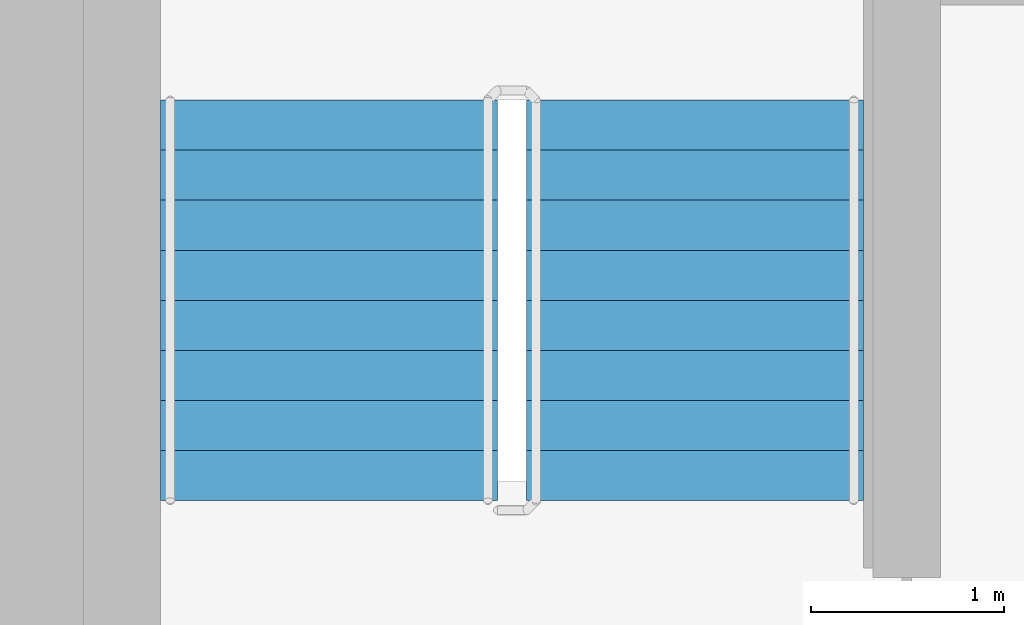
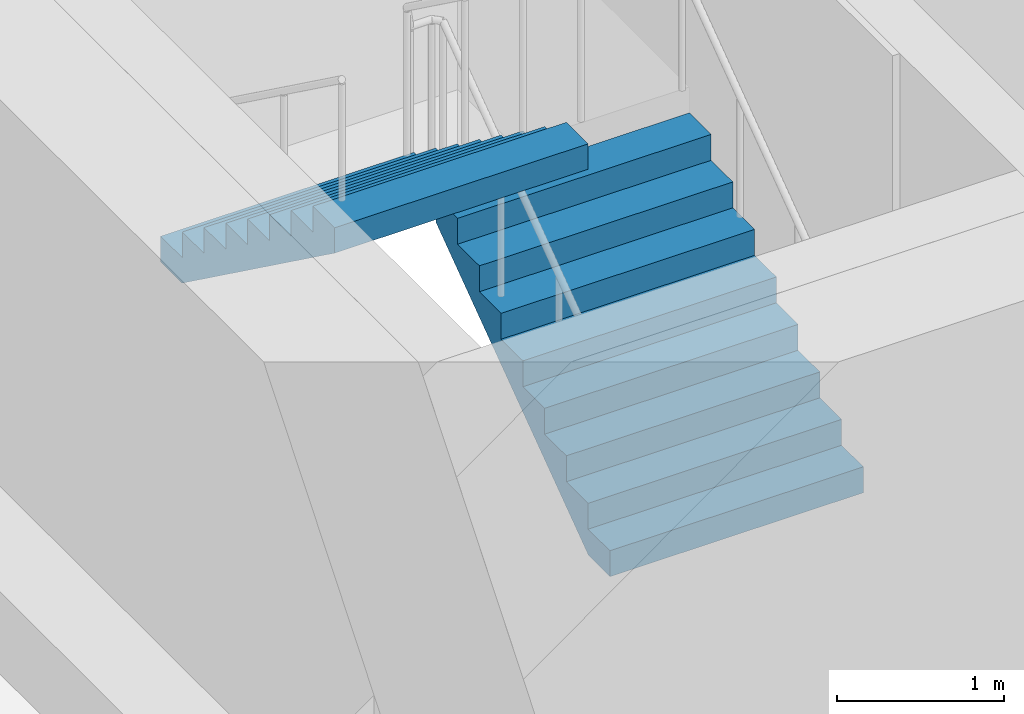
# One storey, part 16 of 19: 2 stair flights, 1 element without a shape of its own.
"""IFC4 building model written with IfcOpenShell, lengths in metres."""

import ifcopenshell
import ifcopenshell.guid

model = None  # the IFC model being written
_history = None  # IfcOwnerHistory: only IFC2X3 demands one
_inside = {}  # id of a spatial element -> (the spatial element, [elements in it])
_under = {}  # id of a project, library or spatial element -> (it, [spatial elements below it])
_declared = {}  # id of a project -> (the project, [libraries it declares])
_typed = {}  # id of a type object -> (the type object, [elements of that type])
_made_of = {}  # id of a material, layer set ... -> (it, [elements and type objects made of it])


def new_model(schema):
    """Start an empty IFC model of exactly this schema.

    Asked for "IFC4X3", IfcOpenShell would pick the latest addendum, in which some entities
    have other attributes; the version numbers below select the first issue.
    IFC2X3 requires an IfcOwnerHistory on every rooted entity: one is made here for all.
    """
    global model, _history
    if schema == "IFC4X3":
        model = ifcopenshell.file(schema_version=(4, 3, 0, 0))
    else:
        model = ifcopenshell.file(schema=schema)
    _inside.clear()
    _under.clear()
    _declared.clear()
    _typed.clear()
    _made_of.clear()
    _history = None
    if model.schema == "IFC2X3":
        org = make("IfcOrganization", Name="unknown")
        user = make(
            "IfcPersonAndOrganization",
            ThePerson=make("IfcPerson", FamilyName="unknown"),
            TheOrganization=org,
        )
        app = make(
            "IfcApplication",
            ApplicationDeveloper=org,
            Version="unknown",
            ApplicationFullName="unknown",
            ApplicationIdentifier="unknown",
        )
        _history = make(
            "IfcOwnerHistory",
            OwningUser=user,
            OwningApplication=app,
            ChangeAction="ADDED",
            CreationDate=0,
        )
    return model


def make(cls, **values):
    """One entity of the class cls with the attributes given. An attribute that is None is left unset."""
    return model.create_entity(
        cls, **{name: value for name, value in values.items() if value is not None}
    )


def rooted(cls, **values):
    """An entity with a GlobalId (a new one), such as an element, a storey or a relation."""
    return make(cls, GlobalId=ifcopenshell.guid.new(), OwnerHistory=_history, **values)


def si_unit(unit_type, name, prefix=None):
    """IfcSIUnit, for example si_unit("LENGTHUNIT", "METRE", prefix="MILLI")."""
    return make("IfcSIUnit", UnitType=unit_type, Prefix=prefix, Name=name)


def assignment(units):
    """IfcUnitAssignment: the units of a project."""
    return None if units is None else make("IfcUnitAssignment", Units=units)


def point(xyz):
    """IfcCartesianPoint."""
    return None if xyz is None else make("IfcCartesianPoint", Coordinates=xyz)


def direction(xyz):
    """IfcDirection."""
    return None if xyz is None else make("IfcDirection", DirectionRatios=xyz)


def frame(location, z_axis=None, x_axis=None):
    """IfcAxis2Placement3D, a coordinate frame: its origin and axes. An axis left out is left unset."""
    return make(
        "IfcAxis2Placement3D",
        Location=point(location),
        Axis=direction(z_axis),
        RefDirection=direction(x_axis),
    )


def origin():
    """The frame at (0, 0, 0) with its axes left unset."""
    return frame((0.0, 0.0, 0.0))


def place(relative_to, where):
    """IfcLocalPlacement: puts the frame where relative to a parent placement (None: the world)."""
    return make(
        "IfcLocalPlacement", PlacementRelTo=relative_to, RelativePlacement=where
    )


def context(
    kind, dimensions, precision=None, world=None, true_north=None, identifier=None
):
    """IfcGeometricRepresentationContext, for example the 3D "Model" context."""
    return make(
        "IfcGeometricRepresentationContext",
        ContextIdentifier=identifier,
        ContextType=kind,
        CoordinateSpaceDimension=dimensions,
        Precision=precision,
        WorldCoordinateSystem=world,
        TrueNorth=true_north,
    )


def subcontext(parent, identifier, kind, view, scale=None):
    """IfcGeometricRepresentationSubContext, for example "Body" below "Model"."""
    return make(
        "IfcGeometricRepresentationSubContext",
        ContextIdentifier=identifier,
        ContextType=kind,
        ParentContext=parent,
        TargetScale=scale,
        TargetView=view,
    )


def project(units=None, contexts=None):
    """IfcProject with its units and contexts."""
    return rooted(
        "IfcProject",
        Name="project",
        RepresentationContexts=contexts,
        UnitsInContext=assignment(units),
    )


def spatial(cls, under=None, at=None, **own):
    """A site, building, storey or space (cls), placed at a placement, below another one or the project."""
    s = rooted(cls, ObjectPlacement=at, **own)
    if under is not None:
        _under.setdefault(under.id(), (under, []))[1].append(s)
    return s


def faces_of(points, faces, orient=None, outer=None):
    """IfcFace entities. A face is a list of loops; a loop is a list of indices into points, from 0.

    orient and outer hold one flag for each loop. By default every Orientation is true, the
    first loop of a face is its IfcFaceOuterBound and the others are IfcFaceBound.
    """
    made = []
    for i, loops in enumerate(faces):
        bounds = []
        for j, loop in enumerate(loops):
            is_outer = j == 0 if outer is None else outer[i][j]
            bounds.append(
                make(
                    "IfcFaceOuterBound" if is_outer else "IfcFaceBound",
                    Bound=make("IfcPolyLoop", Polygon=[points[k] for k in loop]),
                    Orientation=True if orient is None else orient[i][j],
                )
            )
        made.append(make("IfcFace", Bounds=bounds))
    return made


def faceted_brep(points, faces, orient=None, outer=None, voids=None):
    """IfcFacetedBrep: a solid bounded by flat faces; with voids (closed shells), ...WithVoids."""
    shared = [point(p) for p in points]
    hull = make("IfcClosedShell", CfsFaces=faces_of(shared, faces, orient, outer))
    if voids is None:
        return make("IfcFacetedBrep", Outer=hull)
    return make(
        "IfcFacetedBrepWithVoids",
        Outer=hull,
        Voids=[
            make(cls, CfsFaces=faces_of(shared, fs, o, b)) for cls, fs, o, b in voids
        ],
    )


def shape(context_of_items, identifier, shape_type, items):
    """IfcShapeRepresentation: the items that make up one representation, for example the "Body"."""
    return make(
        "IfcShapeRepresentation",
        ContextOfItems=context_of_items,
        RepresentationIdentifier=identifier,
        RepresentationType=shape_type,
        Items=items,
    )


def material(Name=None, Category=None):
    """IfcMaterial."""
    return make("IfcMaterial", Name=Name, Category=Category)


def made_of(thing, what):
    """Note that an element or type object is made of a material, layer set ...; save() writes the relation."""
    if what is not None:
        _made_of.setdefault(what.id(), (what, []))[1].append(thing)
    return thing


def type_object(cls, material=None, **own):
    """A type object (cls), such as IfcWallType, which elements share."""
    return made_of(rooted(cls, **own), material)


def element(
    cls,
    number,
    at=None,
    inside=None,
    cuts=None,
    type_object=None,
    material=None,
    context=None,
    identifier="Body",
    shape_type=None,
    held_by="IfcProductDefinitionShape",
    body=None,
    shapes=None,
    **own,
):
    """One element of the class cls, such as IfcWall. Its Tag is "e" and its number.

    at: its placement. inside: the storey or other place that contains it. cuts: it is an
    opening in that element (IfcRelVoidsElement). A single representation is given by context,
    identifier, shape_type and body (its items); several are given by shapes. held_by: the class
    of the entity that holds the representations. save() writes the other relations.
    """
    e = rooted(cls, Tag="e%d" % number, ObjectPlacement=at, **own)
    if body is not None:
        shapes = [shape(context, identifier, shape_type, body)]
    if shapes is not None:
        e.Representation = make(held_by, Representations=shapes)
    if inside is not None:
        _inside.setdefault(inside.id(), (inside, []))[1].append(e)
    if cuts is not None:
        rooted(
            "IfcRelVoidsElement", RelatingBuildingElement=cuts, RelatedOpeningElement=e
        )
    if type_object is not None:
        _typed.setdefault(type_object.id(), (type_object, []))[1].append(e)
    return made_of(e, material)


def aggregate(whole, parts):
    """IfcRelAggregates: a whole, such as a stair, and the parts it consists of."""
    return rooted("IfcRelAggregates", RelatingObject=whole, RelatedObjects=parts)


def save(model, path):
    """Write the relations noted so far, then the file.

    IfcRelAggregates (storeys below a building ...), IfcRelContainedInSpatialStructure (elements
    in a storey), IfcRelDefinesByType, IfcRelAssociatesMaterial and IfcRelDeclares: one each for
    every whole, place, type object, material and project.
    """
    for whole, parts in _under.values():
        aggregate(whole, parts)
    for where, things in _inside.values():
        rooted(
            "IfcRelContainedInSpatialStructure",
            RelatedElements=things,
            RelatingStructure=where,
        )
    for kind, things in _typed.values():
        rooted("IfcRelDefinesByType", RelatedObjects=things, RelatingType=kind)
    for what, things in _made_of.values():
        rooted("IfcRelAssociatesMaterial", RelatedObjects=things, RelatingMaterial=what)
    for by, libraries in _declared.values():
        rooted("IfcRelDeclares", RelatingContext=by, RelatedDefinitions=libraries)
    model.write(path)


model = new_model("IFC4")

# Units and contexts
model_context = context("Model", 3, precision=1e-05, world=origin(), true_north=direction((0.0, 1.0)))
body_context = subcontext(model_context, "Body", "Model", "MODEL_VIEW")
ifc_project = project(units=[si_unit("LENGTHUNIT", "METRE"), si_unit("AREAUNIT", "SQUARE_METRE"), si_unit("VOLUMEUNIT", "CUBIC_METRE"), si_unit("PLANEANGLEUNIT", "RADIAN"), si_unit("MASSUNIT", "GRAM", prefix="KILO")], contexts=[model_context])

# Site, building, storey
site_placement = place(None, origin())
site = spatial("IfcSite", under=ifc_project, at=site_placement, CompositionType="ELEMENT")
building_placement = place(site_placement, origin())
building = spatial("IfcBuilding", under=site, at=building_placement, Name="Ipe Terrace Towers", CompositionType="ELEMENT")
storey_placement = place(building_placement, frame((0.0, 0.0, 140.5)))
storey = spatial("IfcBuildingStorey", under=building, at=storey_placement, Name="L38", CompositionType="ELEMENT", Elevation=140.5)

# Stair, stair flights
ifc_material_1 = material(Name="Concrete C30/37", Category="concrete")
stair_type = type_object("IfcStairType", Name="Protected exit stair", PredefinedType="HALF_TURN_STAIR", material=ifc_material_1)
stair_placement = place(storey_placement, origin())
stair = element("IfcStair", 1, at=stair_placement, inside=storey, type_object=stair_type, Name="L38 Exit stair T2-C1", PredefinedType="HALF_TURN_STAIR")
ifc_material_2 = material(Name="Concrete C30/37", Category="concrete")
stair_flight_type = type_object("IfcStairFlightType", Name="Exit stair flight 1750", PredefinedType="STRAIGHT", material=ifc_material_2)
stair_flight_1_placement = place(storey_placement, frame((33.22509765625, 9.699951171875, 0.0), z_axis=(0.0, 0.0, 1.0), x_axis=(0.0, 1.0, 0.0)))
stair_flight_1 = element("IfcStairFlight", 2, at=stair_flight_1_placement, type_object=stair_flight_type, Name="T2-ST1 flight 1", NumberOfRisers=9, NumberOfTreads=8, PredefinedType="STRAIGHT", RiserHeight=0.188888889, TreadLength=0.26, context=body_context, shape_type="Brep", body=[
    faceted_brep([(0.255126953125, -0.875, 0.0), (2.080078125, -0.875, 1.325927734375), (2.080078125, -0.875, 1.51123046875), (1.820068359375, -0.875, 1.51123046875), (1.820068359375, -0.875, 1.322265625), (1.56005859375, -0.875, 1.322265625), (1.56005859375, -0.875, 1.13330078125), (1.300048828125, -0.875, 1.13330078125), (1.300048828125, -0.875, 0.9443359375), (1.0400390625, -0.875, 0.9443359375), (1.0400390625, -0.875, 0.755615234375), (0.780029296875, -0.875, 0.755615234375), (0.780029296875, -0.875, 0.566650390625), (0.52001953125, -0.875, 0.566650390625), (0.52001953125, -0.875, 0.377685546875), (0.260009765625, -0.875, 0.377685546875), (0.260009765625, -0.875, 0.18896484375), (0.0, -0.875, 0.18896484375), (0.0, -0.875, 0.0), (0.0, 0.875, 0.0), (0.0, 0.875, 0.18896484375), (0.260009765625, 0.875, 0.18896484375), (0.260009765625, 0.875, 0.377685546875), (0.52001953125, 0.875, 0.377685546875), (0.52001953125, 0.875, 0.566650390625), (0.780029296875, 0.875, 0.566650390625), (0.780029296875, 0.875, 0.755615234375), (1.0400390625, 0.875, 0.755615234375), (1.0400390625, 0.875, 0.9443359375), (1.300048828125, 0.875, 0.9443359375), (1.300048828125, 0.875, 1.13330078125), (1.56005859375, 0.875, 1.13330078125), (1.56005859375, 0.875, 1.322265625), (1.820068359375, 0.875, 1.322265625), (1.820068359375, 0.875, 1.51123046875), (2.080078125, 0.875, 1.51123046875), (2.080078125, 0.875, 1.325927734375), (0.255126953125, 0.875, 0.0), (0.0, -0.300048828125, 0.18896484375), (0.0, -0.1201171875, 0.18896484375), (0.0, -0.06005859375, 0.18896484375), (0.0, -0.030029296875, 0.18896484375), (0.0, -0.010009765625, 0.18896484375), (0.0, 0.0, 0.18896484375), (0.0, 0.010009765625, 0.18896484375), (0.0, 0.030029296875, 0.18896484375), (0.0, 0.06005859375, 0.18896484375), (0.0, 0.1201171875, 0.18896484375), (0.0, 0.300048828125, 0.18896484375), (0.0, 0.300048828125, 0.0), (0.0, 0.1201171875, 0.0), (0.0, 0.06005859375, 0.0), (0.0, 0.030029296875, 0.0), (0.0, 0.010009765625, 0.0), (0.0, 0.0, 0.0), (0.0, -0.010009765625, 0.0), (0.0, -0.030029296875, 0.0), (0.0, -0.06005859375, 0.0), (0.0, -0.1201171875, 0.0), (0.0, -0.300048828125, 0.0), (0.260009765625, -0.300048828125, 0.18896484375), (0.260009765625, -0.1201171875, 0.18896484375), (0.260009765625, -0.06005859375, 0.18896484375), (0.260009765625, -0.030029296875, 0.18896484375), (0.260009765625, -0.010009765625, 0.18896484375), (0.260009765625, 0.0, 0.18896484375), (0.260009765625, 0.010009765625, 0.18896484375), (0.260009765625, 0.030029296875, 0.18896484375), (0.260009765625, 0.06005859375, 0.18896484375), (0.260009765625, 0.1201171875, 0.18896484375), (0.260009765625, 0.300048828125, 0.18896484375), (0.260009765625, -0.300048828125, 0.377685546875), (0.260009765625, -0.1201171875, 0.377685546875), (0.260009765625, -0.06005859375, 0.377685546875), (0.260009765625, -0.030029296875, 0.377685546875), (0.260009765625, -0.010009765625, 0.377685546875), (0.260009765625, 0.0, 0.377685546875), (0.260009765625, 0.010009765625, 0.377685546875), (0.260009765625, 0.030029296875, 0.377685546875), (0.260009765625, 0.06005859375, 0.377685546875), (0.260009765625, 0.1201171875, 0.377685546875), (0.260009765625, 0.300048828125, 0.377685546875), (0.52001953125, -0.300048828125, 0.377685546875), (0.52001953125, -0.1201171875, 0.377685546875), (0.52001953125, -0.06005859375, 0.377685546875), (0.52001953125, -0.030029296875, 0.377685546875), (0.52001953125, -0.010009765625, 0.377685546875), (0.52001953125, 0.0, 0.377685546875), (0.52001953125, 0.010009765625, 0.377685546875), (0.52001953125, 0.030029296875, 0.377685546875), (0.52001953125, 0.06005859375, 0.377685546875), (0.52001953125, 0.1201171875, 0.377685546875), (0.52001953125, 0.300048828125, 0.377685546875), (0.52001953125, -0.300048828125, 0.566650390625), (0.52001953125, -0.1201171875, 0.566650390625), (0.52001953125, -0.06005859375, 0.566650390625), (0.52001953125, -0.030029296875, 0.566650390625), (0.52001953125, -0.010009765625, 0.566650390625), (0.52001953125, 0.0, 0.566650390625), (0.52001953125, 0.010009765625, 0.566650390625), (0.52001953125, 0.030029296875, 0.566650390625), (0.52001953125, 0.06005859375, 0.566650390625), (0.52001953125, 0.1201171875, 0.566650390625), (0.52001953125, 0.300048828125, 0.566650390625), (0.780029296875, -0.300048828125, 0.566650390625), (0.780029296875, -0.1201171875, 0.566650390625), (0.780029296875, -0.06005859375, 0.566650390625), (0.780029296875, -0.030029296875, 0.566650390625), (0.780029296875, -0.010009765625, 0.566650390625), (0.780029296875, 0.0, 0.566650390625), (0.780029296875, 0.010009765625, 0.566650390625), (0.780029296875, 0.030029296875, 0.566650390625), (0.780029296875, 0.06005859375, 0.566650390625), (0.780029296875, 0.1201171875, 0.566650390625), (0.780029296875, 0.300048828125, 0.566650390625), (0.780029296875, -0.300048828125, 0.755615234375), (0.780029296875, -0.1201171875, 0.755615234375), (0.780029296875, -0.06005859375, 0.755615234375), (0.780029296875, -0.030029296875, 0.755615234375), (0.780029296875, -0.010009765625, 0.755615234375), (0.780029296875, 0.0, 0.755615234375), (0.780029296875, 0.010009765625, 0.755615234375), (0.780029296875, 0.030029296875, 0.755615234375), (0.780029296875, 0.06005859375, 0.755615234375), (0.780029296875, 0.1201171875, 0.755615234375), (0.780029296875, 0.300048828125, 0.755615234375), (1.0400390625, -0.300048828125, 0.755615234375), (1.0400390625, -0.1201171875, 0.755615234375), (1.0400390625, -0.06005859375, 0.755615234375), (1.0400390625, -0.030029296875, 0.755615234375), (1.0400390625, -0.010009765625, 0.755615234375), (1.0400390625, 0.0, 0.755615234375), (1.0400390625, 0.010009765625, 0.755615234375), (1.0400390625, 0.030029296875, 0.755615234375), (1.0400390625, 0.06005859375, 0.755615234375), (1.0400390625, 0.1201171875, 0.755615234375), (1.0400390625, 0.300048828125, 0.755615234375), (1.0400390625, -0.300048828125, 0.9443359375), (1.0400390625, -0.1201171875, 0.9443359375), (1.0400390625, -0.06005859375, 0.9443359375), (1.0400390625, -0.030029296875, 0.9443359375), (1.0400390625, -0.010009765625, 0.9443359375), (1.0400390625, 0.0, 0.9443359375), (1.0400390625, 0.010009765625, 0.9443359375), (1.0400390625, 0.030029296875, 0.9443359375), (1.0400390625, 0.06005859375, 0.9443359375), (1.0400390625, 0.1201171875, 0.9443359375), (1.0400390625, 0.300048828125, 0.9443359375), (1.300048828125, -0.300048828125, 0.9443359375), (1.300048828125, -0.1201171875, 0.9443359375), (1.300048828125, -0.06005859375, 0.9443359375), (1.300048828125, -0.030029296875, 0.9443359375), (1.300048828125, -0.010009765625, 0.9443359375), (1.300048828125, 0.0, 0.9443359375), (1.300048828125, 0.010009765625, 0.9443359375), (1.300048828125, 0.030029296875, 0.9443359375), (1.300048828125, 0.06005859375, 0.9443359375), (1.300048828125, 0.1201171875, 0.9443359375), (1.300048828125, 0.300048828125, 0.9443359375), (1.300048828125, -0.300048828125, 1.13330078125), (1.300048828125, -0.1201171875, 1.13330078125), (1.300048828125, -0.06005859375, 1.13330078125), (1.300048828125, -0.030029296875, 1.13330078125), (1.300048828125, -0.010009765625, 1.13330078125), (1.300048828125, 0.0, 1.13330078125), (1.300048828125, 0.010009765625, 1.13330078125), (1.300048828125, 0.030029296875, 1.13330078125), (1.300048828125, 0.06005859375, 1.13330078125), (1.300048828125, 0.1201171875, 1.13330078125), (1.300048828125, 0.300048828125, 1.13330078125), (1.56005859375, -0.300048828125, 1.13330078125), (1.56005859375, -0.1201171875, 1.13330078125), (1.56005859375, -0.06005859375, 1.13330078125), (1.56005859375, -0.030029296875, 1.13330078125), (1.56005859375, -0.010009765625, 1.13330078125), (1.56005859375, 0.0, 1.13330078125), (1.56005859375, 0.010009765625, 1.13330078125), (1.56005859375, 0.030029296875, 1.13330078125), (1.56005859375, 0.06005859375, 1.13330078125), (1.56005859375, 0.1201171875, 1.13330078125), (1.56005859375, 0.300048828125, 1.13330078125), (1.56005859375, -0.300048828125, 1.322265625), (1.56005859375, -0.1201171875, 1.322265625), (1.56005859375, -0.06005859375, 1.322265625), (1.56005859375, -0.030029296875, 1.322265625), (1.56005859375, -0.010009765625, 1.322265625), (1.56005859375, 0.0, 1.322265625), (1.56005859375, 0.010009765625, 1.322265625), (1.56005859375, 0.030029296875, 1.322265625), (1.56005859375, 0.06005859375, 1.322265625), (1.56005859375, 0.1201171875, 1.322265625), (1.56005859375, 0.300048828125, 1.322265625), (1.820068359375, -0.300048828125, 1.322265625), (1.820068359375, -0.1201171875, 1.322265625), (1.820068359375, -0.06005859375, 1.322265625), (1.820068359375, -0.030029296875, 1.322265625), (1.820068359375, -0.010009765625, 1.322265625), (1.820068359375, 0.0, 1.322265625), (1.820068359375, 0.010009765625, 1.322265625), (1.820068359375, 0.030029296875, 1.322265625), (1.820068359375, 0.06005859375, 1.322265625), (1.820068359375, 0.1201171875, 1.322265625), (1.820068359375, 0.300048828125, 1.322265625), (1.820068359375, -0.300048828125, 1.51123046875), (1.820068359375, -0.1201171875, 1.51123046875), (1.820068359375, -0.06005859375, 1.51123046875), (1.820068359375, -0.030029296875, 1.51123046875), (1.820068359375, -0.010009765625, 1.51123046875), (1.820068359375, 0.0, 1.51123046875), (1.820068359375, 0.010009765625, 1.51123046875), (1.820068359375, 0.030029296875, 1.51123046875), (1.820068359375, 0.06005859375, 1.51123046875), (1.820068359375, 0.1201171875, 1.51123046875), (1.820068359375, 0.300048828125, 1.51123046875), (2.080078125, -0.300048828125, 1.51123046875), (2.080078125, -0.1201171875, 1.51123046875), (2.080078125, -0.06005859375, 1.51123046875), (2.080078125, -0.030029296875, 1.51123046875), (2.080078125, -0.010009765625, 1.51123046875), (2.080078125, 0.0, 1.51123046875), (2.080078125, 0.010009765625, 1.51123046875), (2.080078125, 0.030029296875, 1.51123046875), (2.080078125, 0.06005859375, 1.51123046875), (2.080078125, 0.1201171875, 1.51123046875), (2.080078125, 0.300048828125, 1.51123046875), (2.080078125, -0.300048828125, 1.325927734375), (2.080078125, -0.1201171875, 1.325927734375), (2.080078125, -0.06005859375, 1.325927734375), (2.080078125, -0.030029296875, 1.325927734375), (2.080078125, -0.010009765625, 1.325927734375), (2.080078125, 0.0, 1.325927734375), (2.080078125, 0.010009765625, 1.325927734375), (2.080078125, 0.030029296875, 1.325927734375), (2.080078125, 0.06005859375, 1.325927734375), (2.080078125, 0.1201171875, 1.325927734375), (2.080078125, 0.300048828125, 1.325927734375), (0.255126953125, -0.300048828125, 0.0), (0.255126953125, -0.1201171875, 0.0), (0.255126953125, -0.06005859375, 0.0), (0.255126953125, -0.030029296875, 0.0), (0.255126953125, -0.010009765625, 0.0), (0.255126953125, 0.0, 0.0), (0.255126953125, 0.010009765625, 0.0), (0.255126953125, 0.030029296875, 0.0), (0.255126953125, 0.06005859375, 0.0), (0.255126953125, 0.1201171875, 0.0), (0.255126953125, 0.300048828125, 0.0)], [[[0, 1, 2, 3, 4, 5, 6, 7, 8, 9, 10, 11, 12, 13, 14, 15, 16, 17, 18]], [[19, 20, 21, 22, 23, 24, 25, 26, 27, 28, 29, 30, 31, 32, 33, 34, 35, 36, 37]], [[17, 38, 39, 40, 41, 42, 43, 44, 45, 46, 47, 48, 20, 19, 49, 50, 51, 52, 53, 54, 55, 56, 57, 58, 59, 18]], [[16, 60, 61, 62, 63, 64, 65, 66, 67, 68, 69, 70, 21, 20, 48, 47, 46, 45, 44, 43, 42, 41, 40, 39, 38, 17]], [[15, 71, 72, 73, 74, 75, 76, 77, 78, 79, 80, 81, 22, 21, 70, 69, 68, 67, 66, 65, 64, 63, 62, 61, 60, 16]], [[14, 82, 83, 84, 85, 86, 87, 88, 89, 90, 91, 92, 23, 22, 81, 80, 79, 78, 77, 76, 75, 74, 73, 72, 71, 15]], [[13, 93, 94, 95, 96, 97, 98, 99, 100, 101, 102, 103, 24, 23, 92, 91, 90, 89, 88, 87, 86, 85, 84, 83, 82, 14]], [[12, 104, 105, 106, 107, 108, 109, 110, 111, 112, 113, 114, 25, 24, 103, 102, 101, 100, 99, 98, 97, 96, 95, 94, 93, 13]], [[11, 115, 116, 117, 118, 119, 120, 121, 122, 123, 124, 125, 26, 25, 114, 113, 112, 111, 110, 109, 108, 107, 106, 105, 104, 12]], [[10, 126, 127, 128, 129, 130, 131, 132, 133, 134, 135, 136, 27, 26, 125, 124, 123, 122, 121, 120, 119, 118, 117, 116, 115, 11]], [[9, 137, 138, 139, 140, 141, 142, 143, 144, 145, 146, 147, 28, 27, 136, 135, 134, 133, 132, 131, 130, 129, 128, 127, 126, 10]], [[8, 148, 149, 150, 151, 152, 153, 154, 155, 156, 157, 158, 29, 28, 147, 146, 145, 144, 143, 142, 141, 140, 139, 138, 137, 9]], [[7, 159, 160, 161, 162, 163, 164, 165, 166, 167, 168, 169, 30, 29, 158, 157, 156, 155, 154, 153, 152, 151, 150, 149, 148, 8]], [[6, 170, 171, 172, 173, 174, 175, 176, 177, 178, 179, 180, 31, 30, 169, 168, 167, 166, 165, 164, 163, 162, 161, 160, 159, 7]], [[5, 181, 182, 183, 184, 185, 186, 187, 188, 189, 190, 191, 32, 31, 180, 179, 178, 177, 176, 175, 174, 173, 172, 171, 170, 6]], [[4, 192, 193, 194, 195, 196, 197, 198, 199, 200, 201, 202, 33, 32, 191, 190, 189, 188, 187, 186, 185, 184, 183, 182, 181, 5]], [[3, 203, 204, 205, 206, 207, 208, 209, 210, 211, 212, 213, 34, 33, 202, 201, 200, 199, 198, 197, 196, 195, 194, 193, 192, 4]], [[2, 214, 215, 216, 217, 218, 219, 220, 221, 222, 223, 224, 35, 34, 213, 212, 211, 210, 209, 208, 207, 206, 205, 204, 203, 3]], [[1, 225, 226, 227, 228, 229, 230, 231, 232, 233, 234, 235, 36, 35, 224, 223, 222, 221, 220, 219, 218, 217, 216, 215, 214, 2]], [[0, 236, 237, 238, 239, 240, 241, 242, 243, 244, 245, 246, 37, 36, 235, 234, 233, 232, 231, 230, 229, 228, 227, 226, 225, 1]], [[18, 59, 58, 57, 56, 55, 54, 53, 52, 51, 50, 49, 19, 37, 246, 245, 244, 243, 242, 241, 240, 239, 238, 237, 236, 0]]]),
])
stair_flight_2_placement = place(storey_placement, frame((31.324951171875, 11.780029296875, 1.699951171875), z_axis=(0.0, 0.0, 1.0), x_axis=(0.0, -1.0, 0.0)))
stair_flight_2 = element("IfcStairFlight", 3, at=stair_flight_2_placement, type_object=stair_flight_type, Name="T2-ST1 flight 2", NumberOfRisers=9, NumberOfTreads=8, PredefinedType="STRAIGHT", RiserHeight=0.188888889, TreadLength=0.26, context=body_context, shape_type="Brep", body=[
    faceted_brep([(0.255126953125, -0.875, 0.0), (2.080078125, -0.875, 1.325927734375), (2.080078125, -0.875, 1.51123046875), (1.820068359375, -0.875, 1.51123046875), (1.820068359375, -0.875, 1.322265625), (1.56005859375, -0.875, 1.322265625), (1.56005859375, -0.875, 1.13330078125), (1.300048828125, -0.875, 1.13330078125), (1.300048828125, -0.875, 0.9443359375), (1.0400390625, -0.875, 0.9443359375), (1.0400390625, -0.875, 0.755615234375), (0.780029296875, -0.875, 0.755615234375), (0.780029296875, -0.875, 0.566650390625), (0.52001953125, -0.875, 0.566650390625), (0.52001953125, -0.875, 0.377685546875), (0.260009765625, -0.875, 0.377685546875), (0.260009765625, -0.875, 0.18896484375), (0.0, -0.875, 0.18896484375), (0.0, -0.875, 0.0), (0.0, 0.875, 0.0), (0.0, 0.875, 0.18896484375), (0.260009765625, 0.875, 0.18896484375), (0.260009765625, 0.875, 0.377685546875), (0.52001953125, 0.875, 0.377685546875), (0.52001953125, 0.875, 0.566650390625), (0.780029296875, 0.875, 0.566650390625), (0.780029296875, 0.875, 0.755615234375), (1.0400390625, 0.875, 0.755615234375), (1.0400390625, 0.875, 0.9443359375), (1.300048828125, 0.875, 0.9443359375), (1.300048828125, 0.875, 1.13330078125), (1.56005859375, 0.875, 1.13330078125), (1.56005859375, 0.875, 1.322265625), (1.820068359375, 0.875, 1.322265625), (1.820068359375, 0.875, 1.51123046875), (2.080078125, 0.875, 1.51123046875), (2.080078125, 0.875, 1.325927734375), (0.255126953125, 0.875, 0.0), (0.0, -0.300048828125, 0.18896484375), (0.0, -0.1201171875, 0.18896484375), (0.0, -0.06005859375, 0.18896484375), (0.0, -0.030029296875, 0.18896484375), (0.0, -0.010009765625, 0.18896484375), (0.0, 0.0, 0.18896484375), (0.0, 0.010009765625, 0.18896484375), (0.0, 0.030029296875, 0.18896484375), (0.0, 0.06005859375, 0.18896484375), (0.0, 0.1201171875, 0.18896484375), (0.0, 0.300048828125, 0.18896484375), (0.0, 0.300048828125, 0.0), (0.0, 0.1201171875, 0.0), (0.0, 0.06005859375, 0.0), (0.0, 0.030029296875, 0.0), (0.0, 0.010009765625, 0.0), (0.0, 0.0, 0.0), (0.0, -0.010009765625, 0.0), (0.0, -0.030029296875, 0.0), (0.0, -0.06005859375, 0.0), (0.0, -0.1201171875, 0.0), (0.0, -0.300048828125, 0.0), (0.260009765625, -0.300048828125, 0.18896484375), (0.260009765625, -0.1201171875, 0.18896484375), (0.260009765625, -0.06005859375, 0.18896484375), (0.260009765625, -0.030029296875, 0.18896484375), (0.260009765625, -0.010009765625, 0.18896484375), (0.260009765625, 0.0, 0.18896484375), (0.260009765625, 0.010009765625, 0.18896484375), (0.260009765625, 0.030029296875, 0.18896484375), (0.260009765625, 0.06005859375, 0.18896484375), (0.260009765625, 0.1201171875, 0.18896484375), (0.260009765625, 0.300048828125, 0.18896484375), (0.260009765625, -0.300048828125, 0.377685546875), (0.260009765625, -0.1201171875, 0.377685546875), (0.260009765625, -0.06005859375, 0.377685546875), (0.260009765625, -0.030029296875, 0.377685546875), (0.260009765625, -0.010009765625, 0.377685546875), (0.260009765625, 0.0, 0.377685546875), (0.260009765625, 0.010009765625, 0.377685546875), (0.260009765625, 0.030029296875, 0.377685546875), (0.260009765625, 0.06005859375, 0.377685546875), (0.260009765625, 0.1201171875, 0.377685546875), (0.260009765625, 0.300048828125, 0.377685546875), (0.52001953125, -0.300048828125, 0.377685546875), (0.52001953125, -0.1201171875, 0.377685546875), (0.52001953125, -0.06005859375, 0.377685546875), (0.52001953125, -0.030029296875, 0.377685546875), (0.52001953125, -0.010009765625, 0.377685546875), (0.52001953125, 0.0, 0.377685546875), (0.52001953125, 0.010009765625, 0.377685546875), (0.52001953125, 0.030029296875, 0.377685546875), (0.52001953125, 0.06005859375, 0.377685546875), (0.52001953125, 0.1201171875, 0.377685546875), (0.52001953125, 0.300048828125, 0.377685546875), (0.52001953125, -0.300048828125, 0.566650390625), (0.52001953125, -0.1201171875, 0.566650390625), (0.52001953125, -0.06005859375, 0.566650390625), (0.52001953125, -0.030029296875, 0.566650390625), (0.52001953125, -0.010009765625, 0.566650390625), (0.52001953125, 0.0, 0.566650390625), (0.52001953125, 0.010009765625, 0.566650390625), (0.52001953125, 0.030029296875, 0.566650390625), (0.52001953125, 0.06005859375, 0.566650390625), (0.52001953125, 0.1201171875, 0.566650390625), (0.52001953125, 0.300048828125, 0.566650390625), (0.780029296875, -0.300048828125, 0.566650390625), (0.780029296875, -0.1201171875, 0.566650390625), (0.780029296875, -0.06005859375, 0.566650390625), (0.780029296875, -0.030029296875, 0.566650390625), (0.780029296875, -0.010009765625, 0.566650390625), (0.780029296875, 0.0, 0.566650390625), (0.780029296875, 0.010009765625, 0.566650390625), (0.780029296875, 0.030029296875, 0.566650390625), (0.780029296875, 0.06005859375, 0.566650390625), (0.780029296875, 0.1201171875, 0.566650390625), (0.780029296875, 0.300048828125, 0.566650390625), (0.780029296875, -0.300048828125, 0.755615234375), (0.780029296875, -0.1201171875, 0.755615234375), (0.780029296875, -0.06005859375, 0.755615234375), (0.780029296875, -0.030029296875, 0.755615234375), (0.780029296875, -0.010009765625, 0.755615234375), (0.780029296875, 0.0, 0.755615234375), (0.780029296875, 0.010009765625, 0.755615234375), (0.780029296875, 0.030029296875, 0.755615234375), (0.780029296875, 0.06005859375, 0.755615234375), (0.780029296875, 0.1201171875, 0.755615234375), (0.780029296875, 0.300048828125, 0.755615234375), (1.0400390625, -0.300048828125, 0.755615234375), (1.0400390625, -0.1201171875, 0.755615234375), (1.0400390625, -0.06005859375, 0.755615234375), (1.0400390625, -0.030029296875, 0.755615234375), (1.0400390625, -0.010009765625, 0.755615234375), (1.0400390625, 0.0, 0.755615234375), (1.0400390625, 0.010009765625, 0.755615234375), (1.0400390625, 0.030029296875, 0.755615234375), (1.0400390625, 0.06005859375, 0.755615234375), (1.0400390625, 0.1201171875, 0.755615234375), (1.0400390625, 0.300048828125, 0.755615234375), (1.0400390625, -0.300048828125, 0.9443359375), (1.0400390625, -0.1201171875, 0.9443359375), (1.0400390625, -0.06005859375, 0.9443359375), (1.0400390625, -0.030029296875, 0.9443359375), (1.0400390625, -0.010009765625, 0.9443359375), (1.0400390625, 0.0, 0.9443359375), (1.0400390625, 0.010009765625, 0.9443359375), (1.0400390625, 0.030029296875, 0.9443359375), (1.0400390625, 0.06005859375, 0.9443359375), (1.0400390625, 0.1201171875, 0.9443359375), (1.0400390625, 0.300048828125, 0.9443359375), (1.300048828125, -0.300048828125, 0.9443359375), (1.300048828125, -0.1201171875, 0.9443359375), (1.300048828125, -0.06005859375, 0.9443359375), (1.300048828125, -0.030029296875, 0.9443359375), (1.300048828125, -0.010009765625, 0.9443359375), (1.300048828125, 0.0, 0.9443359375), (1.300048828125, 0.010009765625, 0.9443359375), (1.300048828125, 0.030029296875, 0.9443359375), (1.300048828125, 0.06005859375, 0.9443359375), (1.300048828125, 0.1201171875, 0.9443359375), (1.300048828125, 0.300048828125, 0.9443359375), (1.300048828125, -0.300048828125, 1.13330078125), (1.300048828125, -0.1201171875, 1.13330078125), (1.300048828125, -0.06005859375, 1.13330078125), (1.300048828125, -0.030029296875, 1.13330078125), (1.300048828125, -0.010009765625, 1.13330078125), (1.300048828125, 0.0, 1.13330078125), (1.300048828125, 0.010009765625, 1.13330078125), (1.300048828125, 0.030029296875, 1.13330078125), (1.300048828125, 0.06005859375, 1.13330078125), (1.300048828125, 0.1201171875, 1.13330078125), (1.300048828125, 0.300048828125, 1.13330078125), (1.56005859375, -0.300048828125, 1.13330078125), (1.56005859375, -0.1201171875, 1.13330078125), (1.56005859375, -0.06005859375, 1.13330078125), (1.56005859375, -0.030029296875, 1.13330078125), (1.56005859375, -0.010009765625, 1.13330078125), (1.56005859375, 0.0, 1.13330078125), (1.56005859375, 0.010009765625, 1.13330078125), (1.56005859375, 0.030029296875, 1.13330078125), (1.56005859375, 0.06005859375, 1.13330078125), (1.56005859375, 0.1201171875, 1.13330078125), (1.56005859375, 0.300048828125, 1.13330078125), (1.56005859375, -0.300048828125, 1.322265625), (1.56005859375, -0.1201171875, 1.322265625), (1.56005859375, -0.06005859375, 1.322265625), (1.56005859375, -0.030029296875, 1.322265625), (1.56005859375, -0.010009765625, 1.322265625), (1.56005859375, 0.0, 1.322265625), (1.56005859375, 0.010009765625, 1.322265625), (1.56005859375, 0.030029296875, 1.322265625), (1.56005859375, 0.06005859375, 1.322265625), (1.56005859375, 0.1201171875, 1.322265625), (1.56005859375, 0.300048828125, 1.322265625), (1.820068359375, -0.300048828125, 1.322265625), (1.820068359375, -0.1201171875, 1.322265625), (1.820068359375, -0.06005859375, 1.322265625), (1.820068359375, -0.030029296875, 1.322265625), (1.820068359375, -0.010009765625, 1.322265625), (1.820068359375, 0.0, 1.322265625), (1.820068359375, 0.010009765625, 1.322265625), (1.820068359375, 0.030029296875, 1.322265625), (1.820068359375, 0.06005859375, 1.322265625), (1.820068359375, 0.1201171875, 1.322265625), (1.820068359375, 0.300048828125, 1.322265625), (1.820068359375, -0.300048828125, 1.51123046875), (1.820068359375, -0.1201171875, 1.51123046875), (1.820068359375, -0.06005859375, 1.51123046875), (1.820068359375, -0.030029296875, 1.51123046875), (1.820068359375, -0.010009765625, 1.51123046875), (1.820068359375, 0.0, 1.51123046875), (1.820068359375, 0.010009765625, 1.51123046875), (1.820068359375, 0.030029296875, 1.51123046875), (1.820068359375, 0.06005859375, 1.51123046875), (1.820068359375, 0.1201171875, 1.51123046875), (1.820068359375, 0.300048828125, 1.51123046875), (2.080078125, -0.300048828125, 1.51123046875), (2.080078125, -0.1201171875, 1.51123046875), (2.080078125, -0.06005859375, 1.51123046875), (2.080078125, -0.030029296875, 1.51123046875), (2.080078125, -0.010009765625, 1.51123046875), (2.080078125, 0.0, 1.51123046875), (2.080078125, 0.010009765625, 1.51123046875), (2.080078125, 0.030029296875, 1.51123046875), (2.080078125, 0.06005859375, 1.51123046875), (2.080078125, 0.1201171875, 1.51123046875), (2.080078125, 0.300048828125, 1.51123046875), (2.080078125, -0.300048828125, 1.325927734375), (2.080078125, -0.1201171875, 1.325927734375), (2.080078125, -0.06005859375, 1.325927734375), (2.080078125, -0.030029296875, 1.325927734375), (2.080078125, -0.010009765625, 1.325927734375), (2.080078125, 0.0, 1.325927734375), (2.080078125, 0.010009765625, 1.325927734375), (2.080078125, 0.030029296875, 1.325927734375), (2.080078125, 0.06005859375, 1.325927734375), (2.080078125, 0.1201171875, 1.325927734375), (2.080078125, 0.300048828125, 1.325927734375), (0.255126953125, -0.300048828125, 0.0), (0.255126953125, -0.1201171875, 0.0), (0.255126953125, -0.06005859375, 0.0), (0.255126953125, -0.030029296875, 0.0), (0.255126953125, -0.010009765625, 0.0), (0.255126953125, 0.0, 0.0), (0.255126953125, 0.010009765625, 0.0), (0.255126953125, 0.030029296875, 0.0), (0.255126953125, 0.06005859375, 0.0), (0.255126953125, 0.1201171875, 0.0), (0.255126953125, 0.300048828125, 0.0)], [[[0, 1, 2, 3, 4, 5, 6, 7, 8, 9, 10, 11, 12, 13, 14, 15, 16, 17, 18]], [[19, 20, 21, 22, 23, 24, 25, 26, 27, 28, 29, 30, 31, 32, 33, 34, 35, 36, 37]], [[17, 38, 39, 40, 41, 42, 43, 44, 45, 46, 47, 48, 20, 19, 49, 50, 51, 52, 53, 54, 55, 56, 57, 58, 59, 18]], [[16, 60, 61, 62, 63, 64, 65, 66, 67, 68, 69, 70, 21, 20, 48, 47, 46, 45, 44, 43, 42, 41, 40, 39, 38, 17]], [[15, 71, 72, 73, 74, 75, 76, 77, 78, 79, 80, 81, 22, 21, 70, 69, 68, 67, 66, 65, 64, 63, 62, 61, 60, 16]], [[14, 82, 83, 84, 85, 86, 87, 88, 89, 90, 91, 92, 23, 22, 81, 80, 79, 78, 77, 76, 75, 74, 73, 72, 71, 15]], [[13, 93, 94, 95, 96, 97, 98, 99, 100, 101, 102, 103, 24, 23, 92, 91, 90, 89, 88, 87, 86, 85, 84, 83, 82, 14]], [[12, 104, 105, 106, 107, 108, 109, 110, 111, 112, 113, 114, 25, 24, 103, 102, 101, 100, 99, 98, 97, 96, 95, 94, 93, 13]], [[11, 115, 116, 117, 118, 119, 120, 121, 122, 123, 124, 125, 26, 25, 114, 113, 112, 111, 110, 109, 108, 107, 106, 105, 104, 12]], [[10, 126, 127, 128, 129, 130, 131, 132, 133, 134, 135, 136, 27, 26, 125, 124, 123, 122, 121, 120, 119, 118, 117, 116, 115, 11]], [[9, 137, 138, 139, 140, 141, 142, 143, 144, 145, 146, 147, 28, 27, 136, 135, 134, 133, 132, 131, 130, 129, 128, 127, 126, 10]], [[8, 148, 149, 150, 151, 152, 153, 154, 155, 156, 157, 158, 29, 28, 147, 146, 145, 144, 143, 142, 141, 140, 139, 138, 137, 9]], [[7, 159, 160, 161, 162, 163, 164, 165, 166, 167, 168, 169, 30, 29, 158, 157, 156, 155, 154, 153, 152, 151, 150, 149, 148, 8]], [[6, 170, 171, 172, 173, 174, 175, 176, 177, 178, 179, 180, 31, 30, 169, 168, 167, 166, 165, 164, 163, 162, 161, 160, 159, 7]], [[5, 181, 182, 183, 184, 185, 186, 187, 188, 189, 190, 191, 32, 31, 180, 179, 178, 177, 176, 175, 174, 173, 172, 171, 170, 6]], [[4, 192, 193, 194, 195, 196, 197, 198, 199, 200, 201, 202, 33, 32, 191, 190, 189, 188, 187, 186, 185, 184, 183, 182, 181, 5]], [[3, 203, 204, 205, 206, 207, 208, 209, 210, 211, 212, 213, 34, 33, 202, 201, 200, 199, 198, 197, 196, 195, 194, 193, 192, 4]], [[2, 214, 215, 216, 217, 218, 219, 220, 221, 222, 223, 224, 35, 34, 213, 212, 211, 210, 209, 208, 207, 206, 205, 204, 203, 3]], [[1, 225, 226, 227, 228, 229, 230, 231, 232, 233, 234, 235, 36, 35, 224, 223, 222, 221, 220, 219, 218, 217, 216, 215, 214, 2]], [[0, 236, 237, 238, 239, 240, 241, 242, 243, 244, 245, 246, 37, 36, 235, 234, 233, 232, 231, 230, 229, 228, 227, 226, 225, 1]], [[18, 59, 58, 57, 56, 55, 54, 53, 52, 51, 50, 49, 19, 37, 246, 245, 244, 243, 242, 241, 240, 239, 238, 237, 236, 0]]]),
])
aggregate(stair, [stair_flight_1, stair_flight_2])

save(model, "model.ifc")
